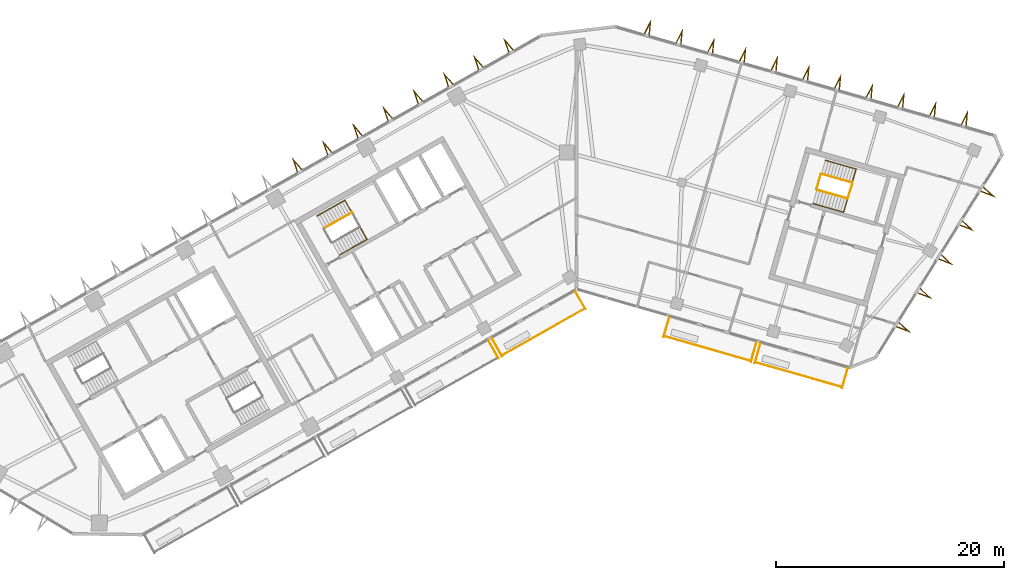
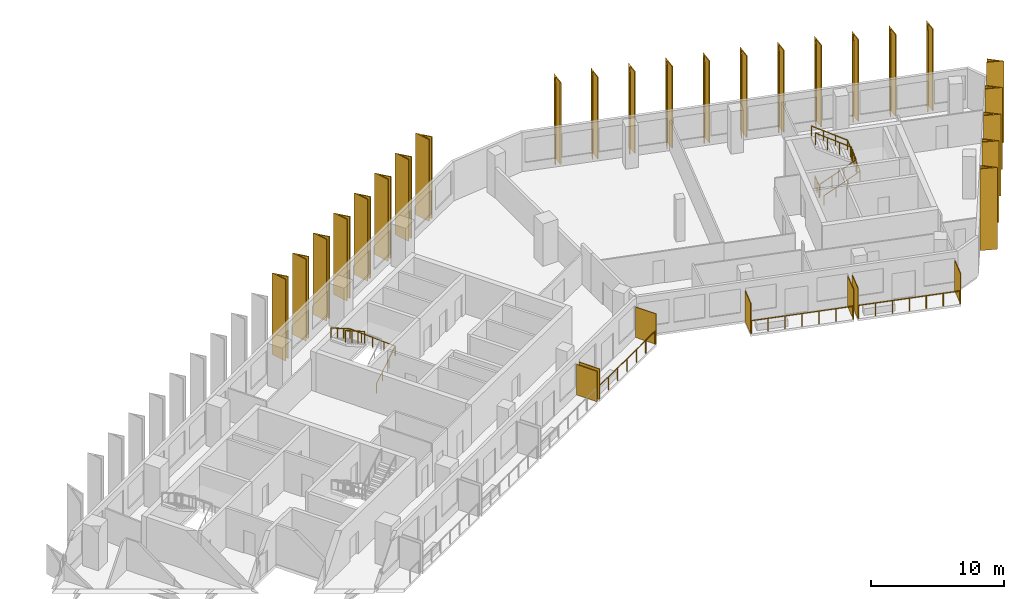
# One storey, part 11 of 12: 31 shading devices, 9 railings.
"""IFC4 building model written with IfcOpenShell, lengths in metres."""

from ifc_helpers import new_model, si_unit, direction, frame, origin, origin_2d, place, context, subcontext, project, spatial, polyline, rectangle, circle, outline, extrude, material, layer, layer_set, type_object, element, save


model = new_model("IFC4")

# Units and contexts
model_context = context("Model", 3, precision=1e-05, world=origin(), true_north=direction((0.0, 1.0)))
body_context = subcontext(model_context, "Body", "Model", "MODEL_VIEW")
ifc_project = project(units=[si_unit("LENGTHUNIT", "METRE"), si_unit("AREAUNIT", "SQUARE_METRE"), si_unit("VOLUMEUNIT", "CUBIC_METRE"), si_unit("PLANEANGLEUNIT", "RADIAN"), si_unit("MASSUNIT", "GRAM", prefix="KILO")], contexts=[model_context])

# Site, building, storey
site_placement = place(None, origin())
site = spatial("IfcSite", under=ifc_project, at=site_placement, CompositionType="ELEMENT")
building_placement = place(site_placement, origin())
building = spatial("IfcBuilding", under=site, at=building_placement, Name="Binnacle Exchange Tower", CompositionType="ELEMENT")
storey_placement = place(building_placement, frame((0.0, 0.0, 246.5)))
storey = spatial("IfcBuildingStorey", under=building, at=storey_placement, Name="L54", CompositionType="ELEMENT", Elevation=246.5)

# Railings
ifc_material_1 = material(Name="Bronze anodised aluminium frame", Category="aluminium")
railing_type_1 = type_object("IfcRailingType", Name="GUARD 1200", PredefinedType="GUARDRAIL", material=ifc_material_1)
railing_1_placement = place(storey_placement, frame((-6.5283203125, 42.186767578125, 0.0)))
element("IfcRailing", 1, at=railing_1_placement, inside=storey, type_object=railing_type_1, Name="Balcony guard G01-B04 L54", PredefinedType="GUARDRAIL", context=body_context, shape_type="SweptSolid", body=[
    extrude(circle(Radius=0.02392578125, at=origin_2d()), frame((0.0, 0.0, 1.17578125), z_axis=(0.870365821494, 0.492405662818, 0.0), x_axis=(-0.492405662818, 0.870365821494, 0.0)), (0.0, 0.0, 1.0), 8.334716796875),
    extrude(circle(Radius=0.02099609375, at=origin_2d()), origin(), (0.0, 0.0, 1.0), 1.15185546875),
    extrude(circle(Radius=0.02099609375, at=origin_2d()), frame((1.208984375, 0.68408203125, 0.0)), (0.0, 0.0, 1.0), 1.15185546875),
    extrude(circle(Radius=0.02099609375, at=origin_2d()), frame((2.41796875, 1.367919921875, 0.0)), (0.0, 0.0, 1.0), 1.15185546875),
    extrude(circle(Radius=0.02099609375, at=origin_2d()), frame((3.626953125, 2.052001953125, 0.0)), (0.0, 0.0, 1.0), 1.15185546875),
    extrude(circle(Radius=0.02099609375, at=origin_2d()), frame((4.836181640625, 2.736083984375, 0.0)), (0.0, 0.0, 1.0), 1.15185546875),
    extrude(circle(Radius=0.02099609375, at=origin_2d()), frame((6.045166015625, 3.419921875, 0.0)), (0.0, 0.0, 1.0), 1.15185546875),
    extrude(circle(Radius=0.02099609375, at=origin_2d()), frame((7.254150390625, 4.10400390625, 0.0)), (0.0, 0.0, 1.0), 1.15185546875),
])
railing_2_placement = place(storey_placement, frame((7.69140625, 43.875244140625, 0.0)))
element("IfcRailing", 2, at=railing_2_placement, inside=storey, type_object=railing_type_1, Name="Balcony guard G02-B01 L54", PredefinedType="GUARDRAIL", context=body_context, shape_type="SweptSolid", body=[
    extrude(circle(Radius=0.02392578125, at=origin_2d()), frame((0.0, 0.0, 1.17578125), z_axis=(0.961259965977, -0.275643388836, 0.0), x_axis=(0.275643388836, 0.961259965977, 0.0)), (0.0, 0.0, 1.0), 7.900634765625),
    extrude(circle(Radius=0.02099609375, at=origin_2d()), origin(), (0.0, 0.0, 1.0), 1.15185546875),
    extrude(circle(Radius=0.02099609375, at=origin_2d()), frame((1.265625, -0.363037109375, 0.0)), (0.0, 0.0, 1.0), 1.15185546875),
    extrude(circle(Radius=0.02099609375, at=origin_2d()), frame((2.531494140625, -0.725830078125, 0.0)), (0.0, 0.0, 1.0), 1.15185546875),
    extrude(circle(Radius=0.02099609375, at=origin_2d()), frame((3.79736328125, -1.0888671875, 0.0)), (0.0, 0.0, 1.0), 1.15185546875),
    extrude(circle(Radius=0.02099609375, at=origin_2d()), frame((5.06298828125, -1.451904296875, 0.0)), (0.0, 0.0, 1.0), 1.15185546875),
    extrude(circle(Radius=0.02099609375, at=origin_2d()), frame((6.32861328125, -1.814697265625, 0.0)), (0.0, 0.0, 1.0), 1.15185546875),
    extrude(circle(Radius=0.02099609375, at=origin_2d()), frame((7.594482421875, -2.177734375, 0.0)), (0.0, 0.0, 1.0), 1.15185546875),
])
railing_3_placement = place(storey_placement, frame((15.689453125, 41.581787109375, 0.0)))
element("IfcRailing", 3, at=railing_3_placement, inside=storey, type_object=railing_type_1, Name="Balcony guard G02-B02 L54", PredefinedType="GUARDRAIL", context=body_context, shape_type="SweptSolid", body=[
    extrude(circle(Radius=0.02392578125, at=origin_2d()), frame((0.0, 0.0, 1.17578125), z_axis=(0.961257617982, -0.275651576943, 0.0), x_axis=(0.275651576943, 0.961257617982, 0.0)), (0.0, 0.0, 1.0), 7.900390625),
    extrude(circle(Radius=0.02099609375, at=origin_2d()), origin(), (0.0, 0.0, 1.0), 1.15185546875),
    extrude(circle(Radius=0.02099609375, at=origin_2d()), frame((1.265625, -0.363037109375, 0.0)), (0.0, 0.0, 1.0), 1.15185546875),
    extrude(circle(Radius=0.02099609375, at=origin_2d()), frame((2.531494140625, -0.725830078125, 0.0)), (0.0, 0.0, 1.0), 1.15185546875),
    extrude(circle(Radius=0.02099609375, at=origin_2d()), frame((3.797119140625, -1.0888671875, 0.0)), (0.0, 0.0, 1.0), 1.15185546875),
    extrude(circle(Radius=0.02099609375, at=origin_2d()), frame((5.062744140625, -1.451904296875, 0.0)), (0.0, 0.0, 1.0), 1.15185546875),
    extrude(circle(Radius=0.02099609375, at=origin_2d()), frame((6.32861328125, -1.814697265625, 0.0)), (0.0, 0.0, 1.0), 1.15185546875),
    extrude(circle(Radius=0.02099609375, at=origin_2d()), frame((7.59423828125, -2.177734375, 0.0)), (0.0, 0.0, 1.0), 1.15185546875),
])

# Shading devices
ifc_material_2 = material(Name="Bronze aluminium louvre", Category="aluminium")
ifc_layer = layer(ifc_material_2, 0.06005859375)
ifc_layer_set = layer_set([ifc_layer], Name="PLANTED SCREEN 60x2800")
shading_device_type_1 = type_object("IfcShadingDeviceType", Name="PLANTED SCREEN 60x2800", PredefinedType="USERDEFINED", material=ifc_layer_set)
for number, where, z_axis, x_axis, name in (
    (4, (-7.271484375, 42.70849609375, 0.0), (0.0, 0.0, 1.0), (0.87035569594, 0.492423560103, 0.0), "Planted screen G01-B03b L54"),
    (5, (-6.9580078125, 42.885498046875, 0.0), (0.0, 0.0, 1.0), (0.87035569594, 0.492423560103, 0.0), "Planted screen G01-B04a L54"),
    (6, (0.34814453125, 47.019287109375, 0.0), (0.0, 0.0, 1.0), (0.87035569594, 0.492423560103, 0.0), "Planted screen G01-B04b L54"),
    (7, (7.888671875, 44.671630859375, 0.0), (0.0, 0.0, 1.0), (0.961261695938, -0.275637355817, 0.0), "Planted screen G02-B01a L54"),
    (8, (15.54052734375, 42.4775390625, 0.0), (0.0, 0.0, 1.0), (0.961261695938, -0.275637355817, 0.0), "Planted screen G02-B01b L54"),
    (9, (15.88671875, 42.37841796875, 0.0), (0.0, 0.0, 1.0), (0.961261695938, -0.275637355817, 0.0), "Planted screen G02-B02a L54"),
    (10, (23.538818359375, 40.18408203125, 0.0), (0.0, 0.0, 1.0), (0.961261695938, -0.275637355817, 0.0), "Planted screen G02-B02b L54"),
):
    element("IfcShadingDevice", number, at=place(storey_placement, frame(where, z_axis=z_axis, x_axis=x_axis)), inside=storey, type_object=shading_device_type_1, Name=name, ObjectType="SCREEN", PredefinedType="USERDEFINED", context=body_context, shape_type="SweptSolid", body=[
        extrude(rectangle(XDim=0.06005859375, YDim=1.800048828125, at=origin_2d()), origin(), (0.0, 0.0, 1.0), 2.800048828125),
    ])

# Railings
ifc_material_3 = material(Name="Steel guard rail", Category="steel")
railing_type_2 = type_object("IfcRailingType", Name="STAIR GUARD 1100", PredefinedType="GUARDRAIL", material=ifc_material_3)
railing_4_placement = place(storey_placement, frame((-19.70068359375, 54.71337890625, 2.127197265625)))
element("IfcRailing", 11, at=railing_4_placement, inside=storey, type_object=railing_type_2, Name="L54 STC1 stair guard 2", PredefinedType="GUARDRAIL", context=body_context, shape_type="SweptSolid", body=[
    extrude(circle(Radius=0.02392578125, at=origin_2d()), frame((0.0, 0.0, 1.076171875), z_axis=(-0.735381288273, -0.416018647052, 0.534923215202), x_axis=(0.492387636113, -0.870376019777, 0.0)), (0.0, 0.0, 1.0), 3.31396484375),
    extrude(circle(Radius=0.02099609375, at=origin_2d()), origin(), (0.0, 0.0, 1.0), 1.052001953125),
    extrude(circle(Radius=0.02099609375, at=origin_2d()), frame((-0.812255859375, -0.45947265625, 0.5908203125)), (0.0, 0.0, 1.0), 1.052001953125),
    extrude(circle(Radius=0.02099609375, at=origin_2d()), frame((-1.624755859375, -0.919189453125, 1.181884765625)), (0.0, 0.0, 1.0), 1.052001953125),
    extrude(circle(Radius=0.02099609375, at=origin_2d()), frame((-2.43701171875, -1.378662109375, 1.772705078125)), (0.0, 0.0, 1.0), 1.052001953125),
])
railing_5_placement = place(storey_placement, frame((21.086669921875, 56.71044921875, 0.17724609375)))
element("IfcRailing", 12, at=railing_5_placement, inside=storey, type_object=railing_type_2, Name="L54 STD1 stair guard 1", PredefinedType="GUARDRAIL", context=body_context, shape_type="SweptSolid", body=[
    extrude(circle(Radius=0.02392578125, at=origin_2d()), frame((0.0, 0.0, 1.076171875), z_axis=(0.81215085225, -0.232948203448, 0.534926282491), x_axis=(0.275711388614, 0.96124046429, 0.0)), (0.0, 0.0, 1.0), 3.31396484375),
    extrude(circle(Radius=0.02392578125, at=origin_2d()), frame((2.69140625, -0.77197265625, 2.8486328125), z_axis=(0.309842533299, 0.950787886208, 0.0), x_axis=(-0.950787886208, 0.309842533299, 0.0)), (0.0, 0.0, 1.0), 1.40087890625),
    extrude(circle(Radius=0.02099609375, at=origin_2d()), origin(), (0.0, 0.0, 1.0), 1.052001953125),
    extrude(circle(Radius=0.02099609375, at=origin_2d()), frame((0.897216796875, -0.25732421875, 0.5908203125)), (0.0, 0.0, 1.0), 1.052001953125),
    extrude(circle(Radius=0.02099609375, at=origin_2d()), frame((1.794189453125, -0.5146484375, 1.181884765625)), (0.0, 0.0, 1.0), 1.052001953125),
    extrude(circle(Radius=0.02099609375, at=origin_2d()), frame((2.69140625, -0.77197265625, 1.772705078125)), (0.0, 0.0, 1.0), 1.052001953125),
    extrude(circle(Radius=0.02099609375, at=origin_2d()), frame((2.908447265625, -0.10595703125, 1.772705078125)), (0.0, 0.0, 1.0), 1.052001953125),
    extrude(circle(Radius=0.02099609375, at=origin_2d()), frame((3.12548828125, 0.56005859375, 1.772705078125)), (0.0, 0.0, 1.0), 1.052001953125),
])
railing_6_placement = place(storey_placement, frame((24.177734375, 57.332275390625, 2.127197265625)))
element("IfcRailing", 13, at=railing_6_placement, inside=storey, type_object=railing_type_2, Name="L54 STD1 stair guard 2", PredefinedType="GUARDRAIL", context=body_context, shape_type="SweptSolid", body=[
    extrude(circle(Radius=0.02392578125, at=origin_2d()), frame((0.0, 0.0, 1.076171875), z_axis=(-0.81215085225, 0.232948203448, 0.534926282491), x_axis=(-0.275711388614, -0.96124046429, 0.0)), (0.0, 0.0, 1.0), 3.31396484375),
    extrude(circle(Radius=0.02099609375, at=origin_2d()), origin(), (0.0, 0.0, 1.0), 1.052001953125),
    extrude(circle(Radius=0.02099609375, at=origin_2d()), frame((-0.897216796875, 0.25732421875, 0.5908203125)), (0.0, 0.0, 1.0), 1.052001953125),
    extrude(circle(Radius=0.02099609375, at=origin_2d()), frame((-1.794189453125, 0.5146484375, 1.181884765625)), (0.0, 0.0, 1.0), 1.052001953125),
    extrude(circle(Radius=0.02099609375, at=origin_2d()), frame((-2.69140625, 0.77197265625, 1.772705078125)), (0.0, 0.0, 1.0), 1.052001953125),
])
railing_7_placement = place(storey_placement, frame((21.05224609375, 56.772216796875, 0.0)))
element("IfcRailing", 14, at=railing_7_placement, inside=storey, type_object=railing_type_2, Name="L54 STD1 stair guard 3", PredefinedType="GUARDRAIL", context=body_context, shape_type="SweptSolid", body=[
    extrude(circle(Radius=0.02392578125, at=origin_2d()), frame((0.0, 0.0, 1.076171875), z_axis=(0.275795817769, 0.961216243569, 0.0), x_axis=(-0.961216243569, 0.275795817769, 0.0)), (0.0, 0.0, 1.0), 1.349853515625),
    extrude(circle(Radius=0.02099609375, at=origin_2d()), origin(), (0.0, 0.0, 1.0), 1.052001953125),
    extrude(circle(Radius=0.02099609375, at=origin_2d()), frame((0.18603515625, 0.64892578125, 0.0)), (0.0, 0.0, 1.0), 1.052001953125),
    extrude(circle(Radius=0.02099609375, at=origin_2d()), frame((0.372314453125, 1.297607421875, 0.0)), (0.0, 0.0, 1.0), 1.052001953125),
])
ifc_material_4 = material(Name="Steel handrail", Category="steel")
railing_type_3 = type_object("IfcRailingType", Name="STAIR HANDRAIL 900", PredefinedType="HANDRAIL", material=ifc_material_4)
railing_8_placement = place(storey_placement, frame((-20.808349609375, 50.984619140625, 0.17724609375)))
element("IfcRailing", 15, at=railing_8_placement, inside=storey, type_object=railing_type_3, Name="L54 STC1 stair handrail 1", PredefinedType="HANDRAIL", context=body_context, shape_type="SweptSolid", body=[
    extrude(circle(Radius=0.02392578125, at=origin_2d()), frame((0.0, 0.0, 0.8759765625), z_axis=(0.735358749054, 0.416079564682, 0.534906819964), x_axis=(-0.492453686477, 0.870338650569, 0.0)), (0.0, 0.0, 1.0), 3.31396484375),
    extrude(circle(Radius=0.02392578125, at=origin_2d()), frame((2.43701171875, 1.37890625, 2.6484375), z_axis=(-0.491945051309, 0.869471352766, 0.044828932754), x_axis=(-0.87034633103, -0.492440112159, 0.0)), (0.0, 0.0, 1.0), 3.953857421875),
    extrude(circle(Radius=0.02392578125, at=origin_2d()), frame((0.491943359375, 4.816650390625, 2.82568359375), z_axis=(-0.735381288273, -0.416018647052, 0.534923215202), x_axis=(0.492387636113, -0.870376019777, 0.0)), (0.0, 0.0, 1.0), 3.31396484375),
    extrude(circle(Radius=0.02099609375, at=origin_2d()), origin(), (0.0, 0.0, 1.0), 0.851806640625),
    extrude(circle(Radius=0.02099609375, at=origin_2d()), frame((0.812255859375, 0.459716796875, 0.5908203125)), (0.0, 0.0, 1.0), 0.851806640625),
    extrude(circle(Radius=0.02099609375, at=origin_2d()), frame((1.624755859375, 0.919189453125, 1.181884765625)), (0.0, 0.0, 1.0), 0.851806640625),
    extrude(circle(Radius=0.02099609375, at=origin_2d()), frame((2.43701171875, 1.37890625, 1.772705078125)), (0.0, 0.0, 1.0), 0.851806640625),
    extrude(circle(Radius=0.02099609375, at=origin_2d()), frame((1.95068359375, 2.23828125, 1.81689453125)), (0.0, 0.0, 1.0), 0.851806640625),
    extrude(circle(Radius=0.02099609375, at=origin_2d()), frame((1.46435546875, 3.09765625, 1.861328125)), (0.0, 0.0, 1.0), 0.851806640625),
    extrude(circle(Radius=0.02099609375, at=origin_2d()), frame((0.978271484375, 3.957275390625, 1.90576171875)), (0.0, 0.0, 1.0), 0.851806640625),
    extrude(circle(Radius=0.02099609375, at=origin_2d()), frame((0.491943359375, 4.816650390625, 1.949951171875)), (0.0, 0.0, 1.0), 0.851806640625),
    extrude(circle(Radius=0.02099609375, at=origin_2d()), frame((-0.3203125, 4.357177734375, 2.540771484375)), (0.0, 0.0, 1.0), 0.851806640625),
    extrude(circle(Radius=0.02099609375, at=origin_2d()), frame((-1.1328125, 3.8974609375, 3.1318359375)), (0.0, 0.0, 1.0), 0.851806640625),
    extrude(circle(Radius=0.02099609375, at=origin_2d()), frame((-1.945068359375, 3.43798828125, 3.72265625)), (0.0, 0.0, 1.0), 0.851806640625),
])
railing_9_placement = place(storey_placement, frame((20.7421875, 55.5087890625, 0.17724609375)))
element("IfcRailing", 16, at=railing_9_placement, inside=storey, type_object=railing_type_3, Name="L54 STD1 stair handrail 1", PredefinedType="HANDRAIL", context=body_context, shape_type="SweptSolid", body=[
    extrude(circle(Radius=0.02392578125, at=origin_2d()), frame((0.0, 0.0, 0.8759765625), z_axis=(0.812164788183, -0.232878528252, 0.534935461448), x_axis=(0.275630818758, 0.961263570386, 0.0)), (0.0, 0.0, 1.0), 3.31396484375),
    extrude(circle(Radius=0.02392578125, at=origin_2d()), frame((2.69140625, -0.771728515625, 2.6484375), z_axis=(0.275390828663, 0.960286584611, 0.044828193186), x_axis=(-0.961252921364, 0.275667954558, 0.0)), (0.0, 0.0, 1.0), 3.953857421875),
    extrude(circle(Radius=0.02392578125, at=origin_2d()), frame((3.7802734375, 3.025146484375, 2.82568359375), z_axis=(-0.812189863168, 0.232864594782, 0.534903455461), x_axis=(-0.27560771734, -0.96127019414, 0.0)), (0.0, 0.0, 1.0), 3.31396484375),
    extrude(circle(Radius=0.02099609375, at=origin_2d()), origin(), (0.0, 0.0, 1.0), 0.851806640625),
    extrude(circle(Radius=0.02099609375, at=origin_2d()), frame((0.897216796875, -0.25732421875, 0.5908203125)), (0.0, 0.0, 1.0), 0.851806640625),
    extrude(circle(Radius=0.02099609375, at=origin_2d()), frame((1.794189453125, -0.514404296875, 1.181884765625)), (0.0, 0.0, 1.0), 0.851806640625),
    extrude(circle(Radius=0.02099609375, at=origin_2d()), frame((2.69140625, -0.771728515625, 1.772705078125)), (0.0, 0.0, 1.0), 0.851806640625),
    extrude(circle(Radius=0.02099609375, at=origin_2d()), frame((2.963623046875, 0.177490234375, 1.81689453125)), (0.0, 0.0, 1.0), 0.851806640625),
    extrude(circle(Radius=0.02099609375, at=origin_2d()), frame((3.23583984375, 1.126708984375, 1.861328125)), (0.0, 0.0, 1.0), 0.851806640625),
    extrude(circle(Radius=0.02099609375, at=origin_2d()), frame((3.508056640625, 2.075927734375, 1.90576171875)), (0.0, 0.0, 1.0), 0.851806640625),
    extrude(circle(Radius=0.02099609375, at=origin_2d()), frame((3.7802734375, 3.025146484375, 1.949951171875)), (0.0, 0.0, 1.0), 0.851806640625),
    extrude(circle(Radius=0.02099609375, at=origin_2d()), frame((2.883056640625, 3.282470703125, 2.540771484375)), (0.0, 0.0, 1.0), 0.851806640625),
    extrude(circle(Radius=0.02099609375, at=origin_2d()), frame((1.98583984375, 3.53955078125, 3.1318359375)), (0.0, 0.0, 1.0), 0.851806640625),
    extrude(circle(Radius=0.02099609375, at=origin_2d()), frame((1.088623046875, 3.796875, 3.72265625)), (0.0, 0.0, 1.0), 0.851806640625),
])

# Shading devices
ifc_material_5 = material(Name="Bronze aluminium cladding", Category="aluminium")
shading_device_type_2 = type_object("IfcShadingDeviceType", Name="V FIN 1300 DEEP x 7520 HIGH", PredefinedType="USERDEFINED", material=ifc_material_5)
shading_device_1_placement = place(storey_placement, origin())
element("IfcShadingDevice", 17, at=shading_device_1_placement, inside=storey, type_object=shading_device_type_2, Name="V fin FN-G04-01 L54", ObjectType="FIN", PredefinedType="USERDEFINED", context=body_context, shape_type="SweptSolid", body=[
    extrude(outline(polyline([(28.05908203125, 44.668212890625), (29.294189453125, 44.19140625), (28.32421875, 45.09228515625), (28.281005859375, 45.023193359375), (28.934814453125, 44.416015625), (28.102294921875, 44.7373046875), (28.05908203125, 44.668212890625)])), origin(), (0.0, 0.0, 1.0), 7.52001953125),
])
shading_device_2_placement = place(storey_placement, origin())
element("IfcShadingDevice", 18, at=shading_device_2_placement, inside=storey, type_object=shading_device_type_2, Name="V fin FN-G04-02 L54", ObjectType="FIN", PredefinedType="USERDEFINED", context=body_context, shape_type="SweptSolid", body=[
    extrude(outline(polyline([(29.913818359375, 47.636474609375), (31.14892578125, 47.15966796875), (30.178955078125, 48.060546875), (30.1357421875, 47.991455078125), (30.78955078125, 47.384033203125), (29.95703125, 47.70556640625), (29.913818359375, 47.636474609375)])), origin(), (0.0, 0.0, 1.0), 7.52001953125),
])
shading_device_3_placement = place(storey_placement, origin())
element("IfcShadingDevice", 19, at=shading_device_3_placement, inside=storey, type_object=shading_device_type_2, Name="V fin FN-G04-03 L54", ObjectType="FIN", PredefinedType="USERDEFINED", context=body_context, shape_type="SweptSolid", body=[
    extrude(outline(polyline([(31.768798828125, 50.604736328125), (33.003662109375, 50.127685546875), (32.03369140625, 51.02880859375), (31.990478515625, 50.959716796875), (32.644287109375, 50.352294921875), (31.81201171875, 50.673828125), (31.768798828125, 50.604736328125)])), origin(), (0.0, 0.0, 1.0), 7.52001953125),
])
shading_device_4_placement = place(storey_placement, origin())
element("IfcShadingDevice", 20, at=shading_device_4_placement, inside=storey, type_object=shading_device_type_2, Name="V fin FN-G04-04 L54", ObjectType="FIN", PredefinedType="USERDEFINED", context=body_context, shape_type="SweptSolid", body=[
    extrude(outline(polyline([(33.623291015625, 53.57275390625), (34.8583984375, 53.095947265625), (33.888427734375, 53.996826171875), (33.84521484375, 53.927734375), (34.4990234375, 53.3203125), (33.66650390625, 53.641845703125), (33.623291015625, 53.57275390625)])), origin(), (0.0, 0.0, 1.0), 7.52001953125),
])
shading_device_5_placement = place(storey_placement, origin())
element("IfcShadingDevice", 21, at=shading_device_5_placement, inside=storey, type_object=shading_device_type_2, Name="V fin FN-G04-05 L54", ObjectType="FIN", PredefinedType="USERDEFINED", context=body_context, shape_type="SweptSolid", body=[
    extrude(outline(polyline([(35.47802734375, 56.541015625), (36.713134765625, 56.064208984375), (35.7431640625, 56.965087890625), (35.699951171875, 56.89599609375), (36.353759765625, 56.28857421875), (35.521240234375, 56.610107421875), (35.47802734375, 56.541015625)])), origin(), (0.0, 0.0, 1.0), 7.52001953125),
])
shading_device_6_placement = place(storey_placement, origin())
element("IfcShadingDevice", 22, at=shading_device_6_placement, inside=storey, type_object=shading_device_type_2, Name="V fin FN-G06-01 L54", ObjectType="FIN", PredefinedType="USERDEFINED", context=body_context, shape_type="SweptSolid", body=[
    extrude(outline(polyline([(34.2080078125, 62.321044921875), (34.325927734375, 63.639404296875), (33.727294921875, 62.458740234375), (33.8056640625, 62.436279296875), (34.209228515625, 63.232421875), (34.129638671875, 62.343505859375), (34.2080078125, 62.321044921875)])), origin(), (0.0, 0.0, 1.0), 7.52001953125),
])
shading_device_7_placement = place(storey_placement, origin())
element("IfcShadingDevice", 23, at=shading_device_7_placement, inside=storey, type_object=shading_device_type_2, Name="V fin FN-G06-02 L54", ObjectType="FIN", PredefinedType="USERDEFINED", context=body_context, shape_type="SweptSolid", body=[
    extrude(outline(polyline([(31.428955078125, 63.117919921875), (31.547119140625, 64.436279296875), (30.948486328125, 63.255615234375), (31.026611328125, 63.2333984375), (31.430419921875, 64.029296875), (31.3505859375, 63.140380859375), (31.428955078125, 63.117919921875)])), origin(), (0.0, 0.0, 1.0), 7.52001953125),
])
shading_device_8_placement = place(storey_placement, origin())
element("IfcShadingDevice", 24, at=shading_device_8_placement, inside=storey, type_object=shading_device_type_2, Name="V fin FN-G06-03 L54", ObjectType="FIN", PredefinedType="USERDEFINED", context=body_context, shape_type="SweptSolid", body=[
    extrude(outline(polyline([(28.64990234375, 63.914794921875), (28.76806640625, 65.2333984375), (28.16943359375, 64.052490234375), (28.247802734375, 64.0302734375), (28.6513671875, 64.826171875), (28.57177734375, 63.937255859375), (28.64990234375, 63.914794921875)])), origin(), (0.0, 0.0, 1.0), 7.52001953125),
])
shading_device_9_placement = place(storey_placement, origin())
element("IfcShadingDevice", 25, at=shading_device_9_placement, inside=storey, type_object=shading_device_type_2, Name="V fin FN-G06-04 L54", ObjectType="FIN", PredefinedType="USERDEFINED", context=body_context, shape_type="SweptSolid", body=[
    extrude(outline(polyline([(25.87109375, 64.711669921875), (25.989013671875, 66.030029296875), (25.390380859375, 64.849365234375), (25.46875, 64.826904296875), (25.872314453125, 65.622802734375), (25.792724609375, 64.73388671875), (25.87109375, 64.711669921875)])), origin(), (0.0, 0.0, 1.0), 7.52001953125),
])
shading_device_10_placement = place(storey_placement, origin())
element("IfcShadingDevice", 26, at=shading_device_10_placement, inside=storey, type_object=shading_device_type_2, Name="V fin FN-G06-05 L54", ObjectType="FIN", PredefinedType="USERDEFINED", context=body_context, shape_type="SweptSolid", body=[
    extrude(outline(polyline([(23.092041015625, 65.508544921875), (23.210205078125, 66.826904296875), (22.611572265625, 65.646240234375), (22.689697265625, 65.623779296875), (23.093505859375, 66.419921875), (23.013916015625, 65.531005859375), (23.092041015625, 65.508544921875)])), origin(), (0.0, 0.0, 1.0), 7.52001953125),
])
shading_device_11_placement = place(storey_placement, origin())
element("IfcShadingDevice", 27, at=shading_device_11_placement, inside=storey, type_object=shading_device_type_2, Name="V fin FN-G06-06 L54", ObjectType="FIN", PredefinedType="USERDEFINED", context=body_context, shape_type="SweptSolid", body=[
    extrude(outline(polyline([(20.31298828125, 66.305419921875), (20.43115234375, 67.623779296875), (19.83251953125, 66.443115234375), (19.910888671875, 66.420654296875), (20.314453125, 67.216552734375), (20.23486328125, 66.32763671875), (20.31298828125, 66.305419921875)])), origin(), (0.0, 0.0, 1.0), 7.52001953125),
])
shading_device_12_placement = place(storey_placement, origin())
element("IfcShadingDevice", 28, at=shading_device_12_placement, inside=storey, type_object=shading_device_type_2, Name="V fin FN-G06-07 L54", ObjectType="FIN", PredefinedType="USERDEFINED", context=body_context, shape_type="SweptSolid", body=[
    extrude(outline(polyline([(17.5341796875, 67.102294921875), (17.652099609375, 68.420654296875), (17.053466796875, 67.239990234375), (17.1318359375, 67.217529296875), (17.535400390625, 68.013427734375), (17.455810546875, 67.12451171875), (17.5341796875, 67.102294921875)])), origin(), (0.0, 0.0, 1.0), 7.52001953125),
])
shading_device_13_placement = place(storey_placement, origin())
element("IfcShadingDevice", 29, at=shading_device_13_placement, inside=storey, type_object=shading_device_type_2, Name="V fin FN-G06-08 L54", ObjectType="FIN", PredefinedType="USERDEFINED", context=body_context, shape_type="SweptSolid", body=[
    extrude(outline(polyline([(14.755126953125, 67.899169921875), (14.873046875, 69.217529296875), (14.2744140625, 68.036865234375), (14.352783203125, 68.014404296875), (14.75634765625, 68.810302734375), (14.6767578125, 67.92138671875), (14.755126953125, 67.899169921875)])), origin(), (0.0, 0.0, 1.0), 7.52001953125),
])
shading_device_14_placement = place(storey_placement, origin())
element("IfcShadingDevice", 30, at=shading_device_14_placement, inside=storey, type_object=shading_device_type_2, Name="V fin FN-G06-09 L54", ObjectType="FIN", PredefinedType="USERDEFINED", context=body_context, shape_type="SweptSolid", body=[
    extrude(outline(polyline([(11.97607421875, 68.69580078125), (12.093994140625, 70.014404296875), (11.49560546875, 68.833740234375), (11.57373046875, 68.811279296875), (11.977294921875, 69.607177734375), (11.897705078125, 68.71826171875), (11.97607421875, 68.69580078125)])), origin(), (0.0, 0.0, 1.0), 7.52001953125),
])
shading_device_15_placement = place(storey_placement, origin())
element("IfcShadingDevice", 31, at=shading_device_15_placement, inside=storey, type_object=shading_device_type_2, Name="V fin FN-G06-10 L54", ObjectType="FIN", PredefinedType="USERDEFINED", context=body_context, shape_type="SweptSolid", body=[
    extrude(outline(polyline([(9.197265625, 69.492919921875), (9.315185546875, 70.811279296875), (8.716552734375, 69.630615234375), (8.794921875, 69.608154296875), (9.198486328125, 70.404052734375), (9.118896484375, 69.51513671875), (9.197265625, 69.492919921875)])), origin(), (0.0, 0.0, 1.0), 7.52001953125),
])
shading_device_16_placement = place(storey_placement, origin())
element("IfcShadingDevice", 32, at=shading_device_16_placement, inside=storey, type_object=shading_device_type_2, Name="V fin FN-G06-11 L54", ObjectType="FIN", PredefinedType="USERDEFINED", context=body_context, shape_type="SweptSolid", body=[
    extrude(outline(polyline([(6.418212890625, 70.28955078125), (6.5361328125, 71.608154296875), (5.9375, 70.427490234375), (6.015869140625, 70.405029296875), (6.41943359375, 71.200927734375), (6.33984375, 70.31201171875), (6.418212890625, 70.28955078125)])), origin(), (0.0, 0.0, 1.0), 7.52001953125),
])
shading_device_17_placement = place(storey_placement, origin())
element("IfcShadingDevice", 33, at=shading_device_17_placement, inside=storey, type_object=shading_device_type_2, Name="V fin FN-G08-01 L54", ObjectType="FIN", PredefinedType="USERDEFINED", context=body_context, shape_type="SweptSolid", body=[
    extrude(outline(polyline([(-5.538818359375, 69.009765625), (-6.396728515625, 70.018310546875), (-5.97412109375, 68.763671875), (-5.9033203125, 68.8037109375), (-6.18798828125, 69.6494140625), (-5.60986328125, 68.9697265625), (-5.538818359375, 69.009765625)])), origin(), (0.0, 0.0, 1.0), 7.52001953125),
])
shading_device_18_placement = place(storey_placement, origin())
element("IfcShadingDevice", 34, at=shading_device_18_placement, inside=storey, type_object=shading_device_type_2, Name="V fin FN-G08-02 L54", ObjectType="FIN", PredefinedType="USERDEFINED", context=body_context, shape_type="SweptSolid", body=[
    extrude(outline(polyline([(-8.187744140625, 67.51123046875), (-9.04541015625, 68.51953125), (-8.622802734375, 67.264892578125), (-8.552001953125, 67.30517578125), (-8.8369140625, 68.15087890625), (-8.258544921875, 67.47119140625), (-8.187744140625, 67.51123046875)])), origin(), (0.0, 0.0, 1.0), 7.52001953125),
])
shading_device_19_placement = place(storey_placement, origin())
element("IfcShadingDevice", 35, at=shading_device_19_placement, inside=storey, type_object=shading_device_type_2, Name="V fin FN-G08-03 L54", ObjectType="FIN", PredefinedType="USERDEFINED", context=body_context, shape_type="SweptSolid", body=[
    extrude(outline(polyline([(-10.83642578125, 66.0126953125), (-11.694091796875, 67.02099609375), (-11.271484375, 65.766357421875), (-11.20068359375, 65.806396484375), (-11.485595703125, 66.65234375), (-10.9072265625, 65.972412109375), (-10.83642578125, 66.0126953125)])), origin(), (0.0, 0.0, 1.0), 7.52001953125),
])
shading_device_20_placement = place(storey_placement, origin())
element("IfcShadingDevice", 36, at=shading_device_20_placement, inside=storey, type_object=shading_device_type_2, Name="V fin FN-G08-04 L54", ObjectType="FIN", PredefinedType="USERDEFINED", context=body_context, shape_type="SweptSolid", body=[
    extrude(outline(polyline([(-13.485107421875, 64.51416015625), (-14.343017578125, 65.5224609375), (-13.92041015625, 64.267822265625), (-13.849365234375, 64.30810546875), (-14.13427734375, 65.15380859375), (-13.555908203125, 64.47412109375), (-13.485107421875, 64.51416015625)])), origin(), (0.0, 0.0, 1.0), 7.52001953125),
])
shading_device_21_placement = place(storey_placement, origin())
element("IfcShadingDevice", 37, at=shading_device_21_placement, inside=storey, type_object=shading_device_type_2, Name="V fin FN-G08-05 L54", ObjectType="FIN", PredefinedType="USERDEFINED", context=body_context, shape_type="SweptSolid", body=[
    extrude(outline(polyline([(-16.1337890625, 63.015380859375), (-16.99169921875, 64.02392578125), (-16.569091796875, 62.769287109375), (-16.498046875, 62.809326171875), (-16.782958984375, 63.6552734375), (-16.20458984375, 62.975341796875), (-16.1337890625, 63.015380859375)])), origin(), (0.0, 0.0, 1.0), 7.52001953125),
])
shading_device_22_placement = place(storey_placement, origin())
element("IfcShadingDevice", 38, at=shading_device_22_placement, inside=storey, type_object=shading_device_type_2, Name="V fin FN-G08-06 L54", ObjectType="FIN", PredefinedType="USERDEFINED", context=body_context, shape_type="SweptSolid", body=[
    extrude(outline(polyline([(-18.78271484375, 61.516845703125), (-19.640380859375, 62.525390625), (-19.2177734375, 61.270751953125), (-19.14697265625, 61.310791015625), (-19.431640625, 62.156494140625), (-18.853515625, 61.476806640625), (-18.78271484375, 61.516845703125)])), origin(), (0.0, 0.0, 1.0), 7.52001953125),
])
shading_device_23_placement = place(storey_placement, origin())
element("IfcShadingDevice", 39, at=shading_device_23_placement, inside=storey, type_object=shading_device_type_2, Name="V fin FN-G08-07 L54", ObjectType="FIN", PredefinedType="USERDEFINED", context=body_context, shape_type="SweptSolid", body=[
    extrude(outline(polyline([(-21.431396484375, 60.018310546875), (-22.2890625, 61.026611328125), (-21.866455078125, 59.772216796875), (-21.795654296875, 59.812255859375), (-22.080322265625, 60.657958984375), (-21.502197265625, 59.978271484375), (-21.431396484375, 60.018310546875)])), origin(), (0.0, 0.0, 1.0), 7.52001953125),
])
shading_device_24_placement = place(storey_placement, origin())
element("IfcShadingDevice", 40, at=shading_device_24_placement, inside=storey, type_object=shading_device_type_2, Name="V fin FN-G08-08 L54", ObjectType="FIN", PredefinedType="USERDEFINED", context=body_context, shape_type="SweptSolid", body=[
    extrude(outline(polyline([(-24.080078125, 58.519775390625), (-24.93798828125, 59.528076171875), (-24.515380859375, 58.2734375), (-24.4443359375, 58.313720703125), (-24.729248046875, 59.159423828125), (-24.15087890625, 58.4794921875), (-24.080078125, 58.519775390625)])), origin(), (0.0, 0.0, 1.0), 7.52001953125),
])

save(model, "model.ifc")
